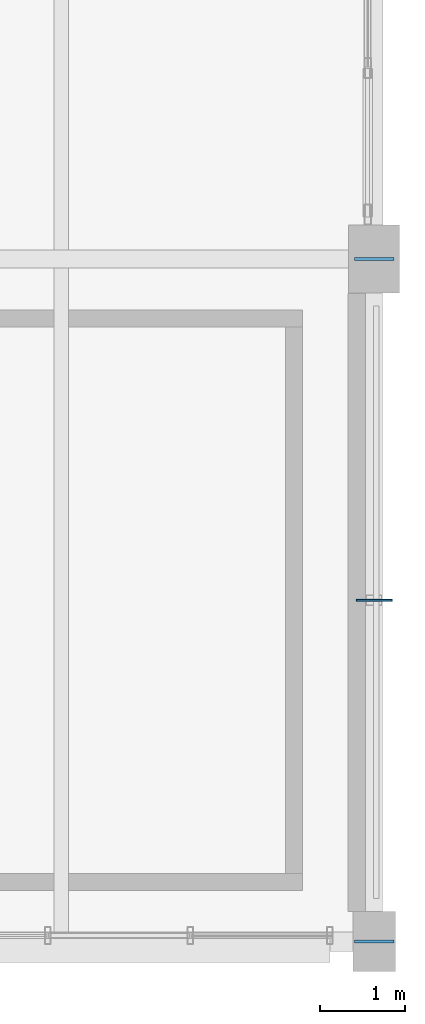
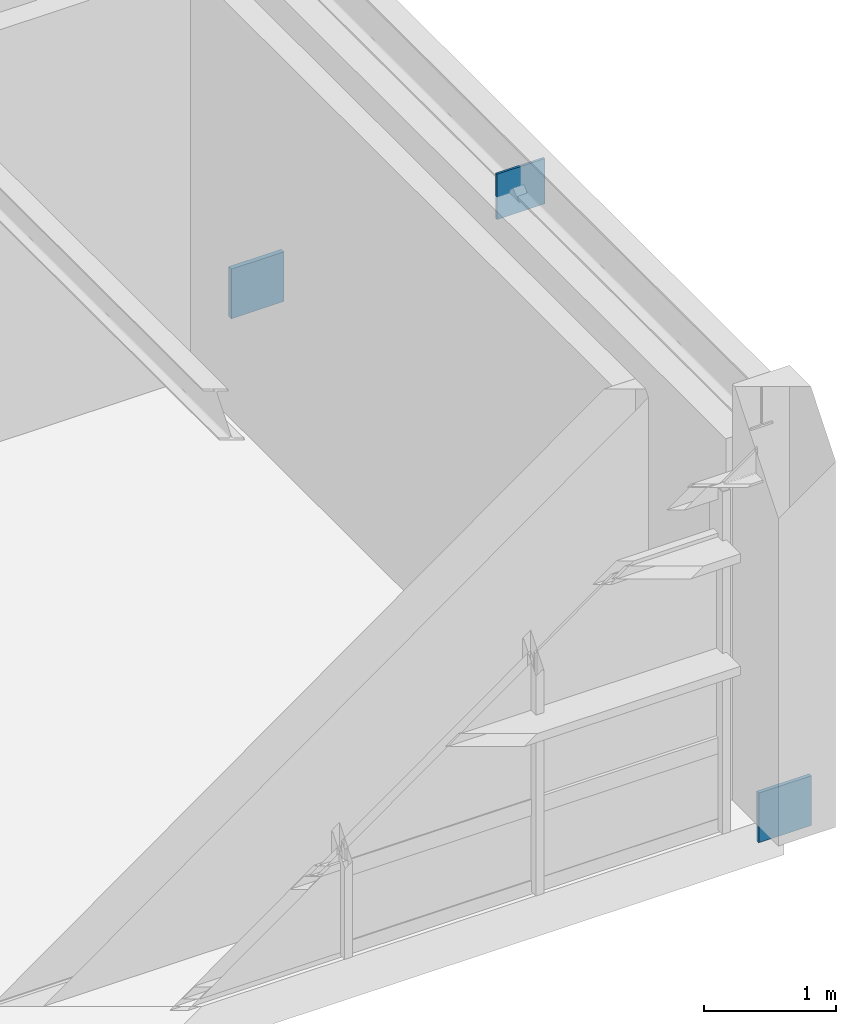
# One storey, part 23 of 26: 3 plates.
"""IFC4 building model written with IfcOpenShell, lengths in metres."""

from ifc_helpers import new_model, si_unit, direction, frame, origin, origin_2d, place, context, subcontext, project, spatial, rectangle, extrude, material, layer, layer_set, type_object, element, save


model = new_model("IFC4")

# Units and contexts
model_context = context("Model", 3, precision=1e-05, world=origin(), true_north=direction((0.0, 1.0)))
body_context = subcontext(model_context, "Body", "Model", "MODEL_VIEW")
ifc_project = project(units=[si_unit("LENGTHUNIT", "METRE"), si_unit("AREAUNIT", "SQUARE_METRE"), si_unit("VOLUMEUNIT", "CUBIC_METRE"), si_unit("PLANEANGLEUNIT", "RADIAN"), si_unit("MASSUNIT", "GRAM", prefix="KILO"), si_unit("THERMODYNAMICTEMPERATUREUNIT", "KELVIN"), si_unit("POWERUNIT", "WATT")], contexts=[model_context])

# Site, building, storey
site_placement = place(None, origin())
site = spatial("IfcSite", under=ifc_project, at=site_placement, CompositionType="ELEMENT")
building_placement = place(site_placement, origin())
building = spatial("IfcBuilding", under=site, at=building_placement, Name="Tepalcoro Natatorium and Aquatics Centre", CompositionType="ELEMENT")
storey_placement = place(building_placement, frame((0.0, 0.0, 19.0)))
storey = spatial("IfcBuildingStorey", under=building, at=storey_placement, Name="L04", CompositionType="ELEMENT", Elevation=19.0)

# Plates
ifc_material = material(Name="Plate Steel ASTM A572 Grade 50 (Fy 345 MPa)", Category="steel")
ifc_layer_1 = layer(ifc_material, 0.031982421875)
ifc_layer_set_1 = layer_set([ifc_layer_1], Name="Plate Steel ASTM A572 Grade 50 (Fy 345 MPa)")
plate_type_1 = type_object("IfcPlateType", Name="PL_CAP_32", PredefinedType="USERDEFINED", material=ifc_layer_set_1)
plate_1_placement = place(storey_placement, frame((176.0, 94.0, -0.179931640625), z_axis=(0.0, 0.0, 1.0), x_axis=(1.0, 0.0, 0.0)))
element("IfcPlate", 1, at=plate_1_placement, inside=storey, type_object=plate_type_1, Name="Truss Node Cap Plate BRB_13", ObjectType="CAP PLATE", PredefinedType="USERDEFINED", context=body_context, shape_type="SweptSolid", body=[
    extrude(rectangle(XDim=0.4599609375, YDim=0.031982421875, at=origin_2d()), origin(), (0.0, 0.0, 1.0), 0.4599609375),
])
ifc_layer_2 = layer(ifc_material, 0.02001953125)
ifc_layer_set_2 = layer_set([ifc_layer_2], Name="Plate Steel ASTM A572 Grade 50 (Fy 345 MPa)")
plate_type_2 = type_object("IfcPlateType", Name="PL_GUSSET_20", PredefinedType="USERDEFINED", material=ifc_layer_set_2)
plate_2_placement = place(storey_placement, frame((176.0, 98.0, 3.150146484375), z_axis=(0.0, 0.0, 1.0), x_axis=(1.0, 0.0, 0.0)))
element("IfcPlate", 2, at=plate_2_placement, inside=storey, type_object=plate_type_2, Name="V5 L04 Chevron Gusset Plate GP1", ObjectType="GUSSET PLATE", PredefinedType="USERDEFINED", context=body_context, shape_type="SweptSolid", body=[
    extrude(rectangle(XDim=0.419921875, YDim=0.02001953125, at=origin_2d()), origin(), (0.0, 0.0, 1.0), 0.419921875),
])
ifc_layer_3 = layer(ifc_material, 0.0400390625)
ifc_layer_set_3 = layer_set([ifc_layer_3], Name="Plate Steel ASTM A572 Grade 50 (Fy 345 MPa)")
plate_type_3 = type_object("IfcPlateType", Name="PL_GUSSET_40", PredefinedType="USERDEFINED", material=ifc_layer_set_3)
plate_3_placement = place(storey_placement, frame((176.0, 102.0, -0.179931640625), z_axis=(0.0, 0.0, 1.0), x_axis=(1.0, 0.0, 0.0)))
element("IfcPlate", 3, at=plate_3_placement, inside=storey, type_object=plate_type_3, Name="Truss Node Gusset Plate BRB_13", ObjectType="GUSSET PLATE", PredefinedType="USERDEFINED", context=body_context, shape_type="SweptSolid", body=[
    extrude(rectangle(XDim=0.4599609375, YDim=0.0400390625, at=origin_2d()), origin(), (0.0, 0.0, 1.0), 0.4599609375),
])

save(model, "model.ifc")
